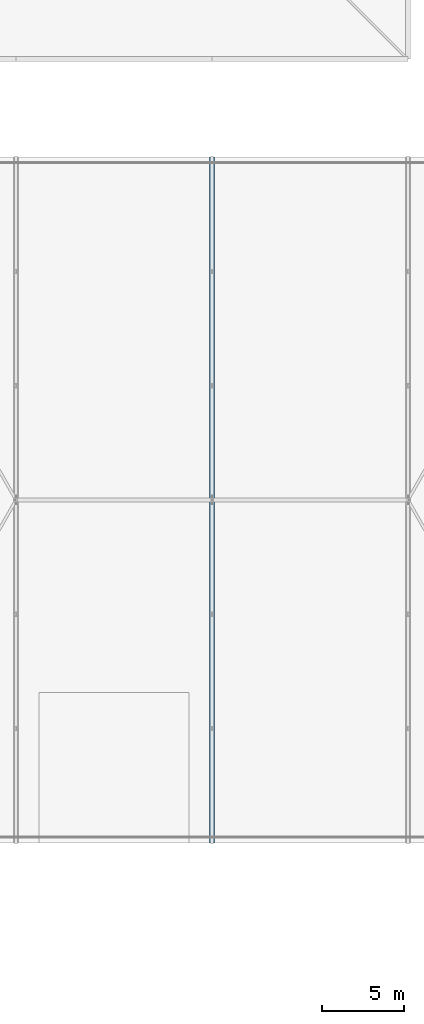
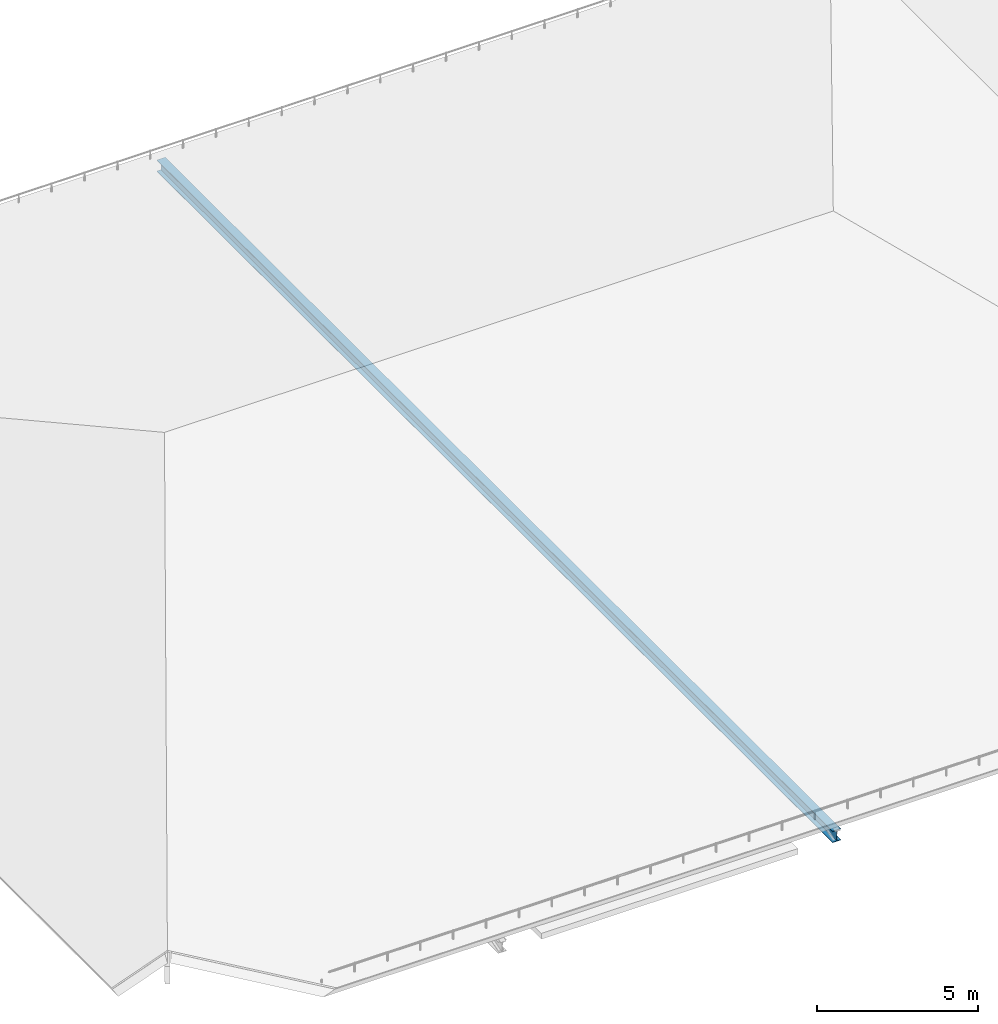
# One storey, part 8 of 204: 1 member.
"""IFC4 building model written with IfcOpenShell, lengths in metres."""

import ifcopenshell
import ifcopenshell.guid

model = None  # the IFC model being written
_history = None  # IfcOwnerHistory: only IFC2X3 demands one
_inside = {}  # id of a spatial element -> (the spatial element, [elements in it])
_under = {}  # id of a project, library or spatial element -> (it, [spatial elements below it])
_declared = {}  # id of a project -> (the project, [libraries it declares])
_typed = {}  # id of a type object -> (the type object, [elements of that type])
_made_of = {}  # id of a material, layer set ... -> (it, [elements and type objects made of it])


def new_model(schema):
    """Start an empty IFC model of exactly this schema.

    Asked for "IFC4X3", IfcOpenShell would pick the latest addendum, in which some entities
    have other attributes; the version numbers below select the first issue.
    IFC2X3 requires an IfcOwnerHistory on every rooted entity: one is made here for all.
    """
    global model, _history
    if schema == "IFC4X3":
        model = ifcopenshell.file(schema_version=(4, 3, 0, 0))
    else:
        model = ifcopenshell.file(schema=schema)
    _inside.clear()
    _under.clear()
    _declared.clear()
    _typed.clear()
    _made_of.clear()
    _history = None
    if model.schema == "IFC2X3":
        org = make("IfcOrganization", Name="unknown")
        user = make(
            "IfcPersonAndOrganization",
            ThePerson=make("IfcPerson", FamilyName="unknown"),
            TheOrganization=org,
        )
        app = make(
            "IfcApplication",
            ApplicationDeveloper=org,
            Version="unknown",
            ApplicationFullName="unknown",
            ApplicationIdentifier="unknown",
        )
        _history = make(
            "IfcOwnerHistory",
            OwningUser=user,
            OwningApplication=app,
            ChangeAction="ADDED",
            CreationDate=0,
        )
    return model


def make(cls, **values):
    """One entity of the class cls with the attributes given. An attribute that is None is left unset."""
    return model.create_entity(
        cls, **{name: value for name, value in values.items() if value is not None}
    )


def rooted(cls, **values):
    """An entity with a GlobalId (a new one), such as an element, a storey or a relation."""
    return make(cls, GlobalId=ifcopenshell.guid.new(), OwnerHistory=_history, **values)


def si_unit(unit_type, name, prefix=None):
    """IfcSIUnit, for example si_unit("LENGTHUNIT", "METRE", prefix="MILLI")."""
    return make("IfcSIUnit", UnitType=unit_type, Prefix=prefix, Name=name)


def assignment(units):
    """IfcUnitAssignment: the units of a project."""
    return None if units is None else make("IfcUnitAssignment", Units=units)


def point(xyz):
    """IfcCartesianPoint."""
    return None if xyz is None else make("IfcCartesianPoint", Coordinates=xyz)


def direction(xyz):
    """IfcDirection."""
    return None if xyz is None else make("IfcDirection", DirectionRatios=xyz)


def frame(location, z_axis=None, x_axis=None):
    """IfcAxis2Placement3D, a coordinate frame: its origin and axes. An axis left out is left unset."""
    return make(
        "IfcAxis2Placement3D",
        Location=point(location),
        Axis=direction(z_axis),
        RefDirection=direction(x_axis),
    )


def frame_2d(location, x_axis=None):
    """IfcAxis2Placement2D, a coordinate frame in the plane: its origin and x axis."""
    return make(
        "IfcAxis2Placement2D", Location=point(location), RefDirection=direction(x_axis)
    )


def origin():
    """The frame at (0, 0, 0) with its axes left unset."""
    return frame((0.0, 0.0, 0.0))


def origin_2d():
    """The frame at (0, 0) in the plane with its x axis left unset."""
    return frame_2d((0.0, 0.0))


def place(relative_to, where):
    """IfcLocalPlacement: puts the frame where relative to a parent placement (None: the world)."""
    return make(
        "IfcLocalPlacement", PlacementRelTo=relative_to, RelativePlacement=where
    )


def context(
    kind, dimensions, precision=None, world=None, true_north=None, identifier=None
):
    """IfcGeometricRepresentationContext, for example the 3D "Model" context."""
    return make(
        "IfcGeometricRepresentationContext",
        ContextIdentifier=identifier,
        ContextType=kind,
        CoordinateSpaceDimension=dimensions,
        Precision=precision,
        WorldCoordinateSystem=world,
        TrueNorth=true_north,
    )


def subcontext(parent, identifier, kind, view, scale=None):
    """IfcGeometricRepresentationSubContext, for example "Body" below "Model"."""
    return make(
        "IfcGeometricRepresentationSubContext",
        ContextIdentifier=identifier,
        ContextType=kind,
        ParentContext=parent,
        TargetScale=scale,
        TargetView=view,
    )


def project(units=None, contexts=None):
    """IfcProject with its units and contexts."""
    return rooted(
        "IfcProject",
        Name="project",
        RepresentationContexts=contexts,
        UnitsInContext=assignment(units),
    )


def spatial(cls, under=None, at=None, **own):
    """A site, building, storey or space (cls), placed at a placement, below another one or the project."""
    s = rooted(cls, ObjectPlacement=at, **own)
    if under is not None:
        _under.setdefault(under.id(), (under, []))[1].append(s)
    return s


def profile(cls, at=None, kind="AREA", **sizes):
    """A parametric profile (cls). Its sizes go by their IFC names, for example OverallWidth=200.0."""
    return make(cls, ProfileType=kind, Position=at, **sizes)


def i_section(**sizes):
    """IfcIShapeProfileDef."""
    return profile("IfcIShapeProfileDef", **sizes)


def extrude(swept, where, along, depth):
    """IfcExtrudedAreaSolid: the profile swept, set in the frame where, extruded along a direction by depth."""
    return make(
        "IfcExtrudedAreaSolid",
        SweptArea=swept,
        Position=where,
        ExtrudedDirection=direction(along),
        Depth=depth,
    )


def shape(context_of_items, identifier, shape_type, items):
    """IfcShapeRepresentation: the items that make up one representation, for example the "Body"."""
    return make(
        "IfcShapeRepresentation",
        ContextOfItems=context_of_items,
        RepresentationIdentifier=identifier,
        RepresentationType=shape_type,
        Items=items,
    )


def material(Name=None, Category=None):
    """IfcMaterial."""
    return make("IfcMaterial", Name=Name, Category=Category)


def material_profile(
    of_material, cross_section, Name=None, Category=None, Priority=None
):
    """IfcMaterialProfile: a cross section and its material."""
    return make(
        "IfcMaterialProfile",
        Name=Name,
        Material=of_material,
        Profile=cross_section,
        Priority=Priority,
        Category=Category,
    )


def profile_set(profiles, Name=None, composite=None):
    """IfcMaterialProfileSet."""
    return make(
        "IfcMaterialProfileSet",
        Name=Name,
        MaterialProfiles=profiles,
        CompositeProfile=composite,
    )


def made_of(thing, what):
    """Note that an element or type object is made of a material, layer set ...; save() writes the relation."""
    if what is not None:
        _made_of.setdefault(what.id(), (what, []))[1].append(thing)
    return thing


def type_object(cls, material=None, **own):
    """A type object (cls), such as IfcWallType, which elements share."""
    return made_of(rooted(cls, **own), material)


def element(
    cls,
    number,
    at=None,
    inside=None,
    cuts=None,
    type_object=None,
    material=None,
    context=None,
    identifier="Body",
    shape_type=None,
    held_by="IfcProductDefinitionShape",
    body=None,
    shapes=None,
    **own,
):
    """One element of the class cls, such as IfcWall. Its Tag is "e" and its number.

    at: its placement. inside: the storey or other place that contains it. cuts: it is an
    opening in that element (IfcRelVoidsElement). A single representation is given by context,
    identifier, shape_type and body (its items); several are given by shapes. held_by: the class
    of the entity that holds the representations. save() writes the other relations.
    """
    e = rooted(cls, Tag="e%d" % number, ObjectPlacement=at, **own)
    if body is not None:
        shapes = [shape(context, identifier, shape_type, body)]
    if shapes is not None:
        e.Representation = make(held_by, Representations=shapes)
    if inside is not None:
        _inside.setdefault(inside.id(), (inside, []))[1].append(e)
    if cuts is not None:
        rooted(
            "IfcRelVoidsElement", RelatingBuildingElement=cuts, RelatedOpeningElement=e
        )
    if type_object is not None:
        _typed.setdefault(type_object.id(), (type_object, []))[1].append(e)
    return made_of(e, material)


def aggregate(whole, parts):
    """IfcRelAggregates: a whole, such as a stair, and the parts it consists of."""
    return rooted("IfcRelAggregates", RelatingObject=whole, RelatedObjects=parts)


def save(model, path):
    """Write the relations noted so far, then the file.

    IfcRelAggregates (storeys below a building ...), IfcRelContainedInSpatialStructure (elements
    in a storey), IfcRelDefinesByType, IfcRelAssociatesMaterial and IfcRelDeclares: one each for
    every whole, place, type object, material and project.
    """
    for whole, parts in _under.values():
        aggregate(whole, parts)
    for where, things in _inside.values():
        rooted(
            "IfcRelContainedInSpatialStructure",
            RelatedElements=things,
            RelatingStructure=where,
        )
    for kind, things in _typed.values():
        rooted("IfcRelDefinesByType", RelatedObjects=things, RelatingType=kind)
    for what, things in _made_of.values():
        rooted("IfcRelAssociatesMaterial", RelatedObjects=things, RelatingMaterial=what)
    for by, libraries in _declared.values():
        rooted("IfcRelDeclares", RelatingContext=by, RelatedDefinitions=libraries)
    model.write(path)


model = new_model("IFC4")

# Units and contexts
model_context = context("Model", 3, precision=1e-05, world=origin(), true_north=direction((0.0, 1.0)))
body_context = subcontext(model_context, "Body", "Model", "MODEL_VIEW")
ifc_project = project(units=[si_unit("LENGTHUNIT", "METRE"), si_unit("AREAUNIT", "SQUARE_METRE"), si_unit("VOLUMEUNIT", "CUBIC_METRE"), si_unit("PLANEANGLEUNIT", "RADIAN"), si_unit("MASSUNIT", "GRAM", prefix="KILO")], contexts=[model_context])

# Site, building, storey
site_placement = place(None, origin())
site = spatial("IfcSite", under=ifc_project, at=site_placement, CompositionType="ELEMENT")
building_placement = place(site_placement, origin())
building = spatial("IfcBuilding", under=site, at=building_placement, Name="Zilviju Railside Exhibition Hall", CompositionType="ELEMENT")
storey_placement = place(building_placement, frame((0.0, 0.0, 21.0)))
storey = spatial("IfcBuildingStorey", under=building, at=storey_placement, Name="RF", CompositionType="ELEMENT", Elevation=21.0)

# Member
ifc_material = material(Name="Steel S355J2", Category="steel")
ifc_material_profile = material_profile(ifc_material, i_section(OverallWidth=0.300048828125, OverallDepth=0.43994140625, WebThickness=0.011474609375, FlangeThickness=0.02099609375, at=origin_2d()), Name="HEA 450")
ifc_profile_set = profile_set([ifc_material_profile], Name="Steel S355J2")
member_type = type_object("IfcMemberType", Name="TR-CH-HEA450", PredefinedType="CHORD", material=ifc_profile_set)
member_placement = place(storey_placement, frame((24.0, 36.0, -8.39990234375), z_axis=(0.0, 1.0, 0.0), x_axis=(-1.0, 0.0, 0.0)))
element("IfcMember", 1, at=member_placement, inside=storey, type_object=member_type, Name="Congress Acoustic Truss Bottom Chord X=24.0", PredefinedType="CHORD", context=body_context, shape_type="SweptSolid", body=[
    extrude(i_section(OverallWidth=0.300048828125, OverallDepth=0.43994140625, WebThickness=0.011474609375, FlangeThickness=0.02099609375, at=origin_2d()), origin(), (0.0, 0.0, 1.0), 42.0),
])

save(model, "model.ifc")
